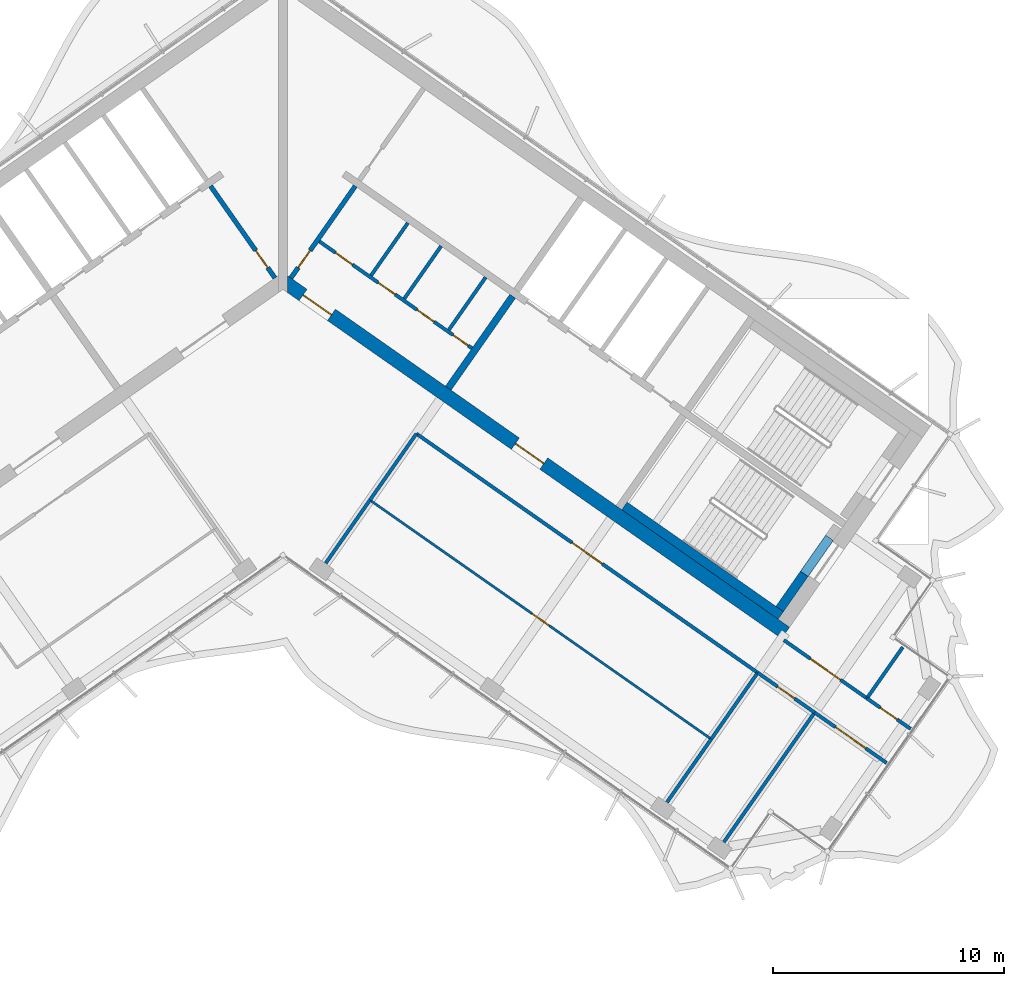
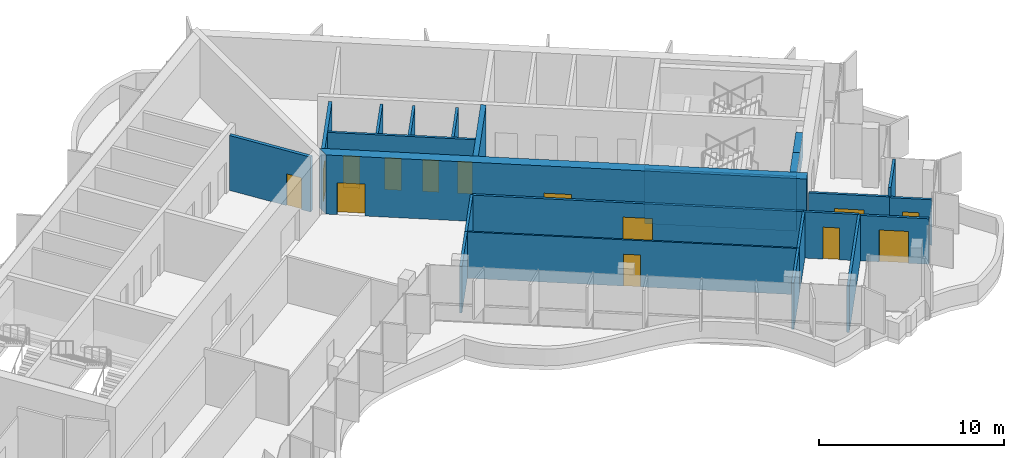
# One storey, part 10 of 17: 23 walls, 14 doors, 14 openings.
"""IFC4 building model written with IfcOpenShell, lengths in metres."""

from ifc_helpers import new_model, si_unit, direction, frame, frame_2d, origin, place, context, subcontext, project, spatial, polyline, rectangle, outline, extrude, material, layer, layer_set, type_object, element, fill, save


model = new_model("IFC4")

# Units and contexts
model_context = context("Model", 3, precision=1e-05, world=origin(), true_north=direction((0.0, 1.0)))
body_context = subcontext(model_context, "Body", "Model", "MODEL_VIEW")
ifc_project = project(units=[si_unit("LENGTHUNIT", "METRE"), si_unit("AREAUNIT", "SQUARE_METRE"), si_unit("VOLUMEUNIT", "CUBIC_METRE"), si_unit("PLANEANGLEUNIT", "RADIAN"), si_unit("MASSUNIT", "GRAM", prefix="KILO")], contexts=[model_context])

# Site, building, storey
site_placement = place(None, origin())
site = spatial("IfcSite", under=ifc_project, at=site_placement, CompositionType="ELEMENT")
building_placement = place(site_placement, origin())
building = spatial("IfcBuilding", under=site, at=building_placement, Name="Tel Ilan Convention Tower", CompositionType="ELEMENT")
storey_placement = place(building_placement, frame((0.0, 0.0, 287.800048828125)))
storey = spatial("IfcBuildingStorey", under=building, at=storey_placement, Name="L68", CompositionType="ELEMENT", Elevation=287.800048828125)

# Wall, openings, doors
ifc_material_1 = material(Name="Gypsum Plasterboard on Steel Stud", Category="steel")
ifc_layer_1 = layer(ifc_material_1, 0.14990234375)
ifc_layer_set_1 = layer_set([ifc_layer_1], Name="Core Room Partition Wall 150 mm EI 60")
wall_type_1 = type_object("IfcWallType", Name="Core Room Partition Wall 150 mm EI 60", PredefinedType="PARTITIONING", material=ifc_layer_set_1)
wall_1_placement = place(storey_placement, frame((1.572998046875, 0.851806640625, 0.0), z_axis=(0.0, 0.0, 1.0), x_axis=(0.819160673808, -0.573564111924, 0.0)))
wall_1 = element("IfcWall", 1, at=wall_1_placement, inside=storey, type_object=wall_type_1, Name="L68 core wall wc-h1", PredefinedType="PARTITIONING", context=body_context, shape_type="SweptSolid", body=[
    extrude(rectangle(XDim=8.050048828125, YDim=0.14990234375, at=frame_2d((4.02490234375, 0.0))), origin(), (0.0, 0.0, 1.0), 3.619873046875),
])
opening_1_placement = place(wall_1_placement, frame((0.85009765625, 0.0, 0.0)))
opening_1 = element("IfcOpeningElement", 2, at=opening_1_placement, cuts=wall_1, Name="Opening CD5114", PredefinedType="OPENING", context=body_context, shape_type="SweptSolid", body=[
    extrude(rectangle(XDim=0.89990234375, YDim=2.10009765625, at=frame_2d((0.449951171875, 1.050048828125))), frame((0.0, 0.0849609375, 0.0), z_axis=(0.0, -1.0, 0.0), x_axis=(1.0, 0.0, 0.0)), (0.0, 0.0, 1.0), 0.169921875),
])
opening_2_placement = place(wall_1_placement, frame((3.10009765625, 0.0, 0.0)))
opening_2 = element("IfcOpeningElement", 3, at=opening_2_placement, cuts=wall_1, Name="Opening CD5111", PredefinedType="OPENING", context=body_context, shape_type="SweptSolid", body=[
    extrude(rectangle(XDim=0.89990234375, YDim=2.10009765625, at=frame_2d((0.449951171875, 1.050048828125))), frame((0.0, 0.0849609375, 0.0), z_axis=(0.0, -1.0, 0.0), x_axis=(1.0, 0.0, 0.0)), (0.0, 0.0, 1.0), 0.169921875),
])
opening_3_placement = place(wall_1_placement, frame((5.14990234375, 0.0, 0.0)))
opening_3 = element("IfcOpeningElement", 4, at=opening_3_placement, cuts=wall_1, Name="Opening CD5113", PredefinedType="OPENING", context=body_context, shape_type="SweptSolid", body=[
    extrude(rectangle(XDim=0.89990234375, YDim=2.10009765625, at=frame_2d((0.449951171875, 1.050048828125))), frame((0.0, 0.0849609375, 0.0), z_axis=(0.0, -1.0, 0.0), x_axis=(1.0, 0.0, 0.0)), (0.0, 0.0, 1.0), 0.169921875),
])
opening_4_placement = place(wall_1_placement, frame((7.050048828125, 0.0, 0.0)))
opening_4 = element("IfcOpeningElement", 5, at=opening_4_placement, cuts=wall_1, Name="Opening CD5112", PredefinedType="OPENING", context=body_context, shape_type="SweptSolid", body=[
    extrude(rectangle(XDim=0.800048828125, YDim=2.10009765625, at=frame_2d((0.39990234375, 1.050048828125))), frame((0.0, 0.0849609375, 0.0), z_axis=(0.0, -1.0, 0.0), x_axis=(1.0, 0.0, 0.0)), (0.0, 0.0, 1.0), 0.169921875),
])
ifc_material_2 = material(Name="Galvanised Steel Door Leaf", Category="steel")
door_type_1 = type_object("IfcDoorType", Name="Store Door 800 x 2100 FD60", OperationType="NOTDEFINED", PredefinedType="DOOR", material=ifc_material_2)
door_1_placement = place(opening_4_placement, origin())
door_1 = element("IfcDoor", 6, at=door_1_placement, inside=storey, type_object=door_type_1, Name="Cleaner's store door", OperationType="SINGLE_SWING_RIGHT", OverallHeight=2.10009765625, OverallWidth=0.800048828125, PredefinedType="DOOR", context=body_context, shape_type="SweptSolid", body=[
    extrude(rectangle(XDim=0.800048828125, YDim=2.10009765625, at=frame_2d((0.39990234375, 1.050048828125))), frame((0.0, 0.02490234375, 0.0), z_axis=(0.0, -1.0, 0.0), x_axis=(1.0, 0.0, 0.0)), (0.0, 0.0, 1.0), 0.050048828125),
])
fill(opening_4, door_1)
ifc_material_3 = material(Name="Laminated Timber Door Leaf", Category="wood")
door_type_2 = type_object("IfcDoorType", Name="Toilet Door 900 x 2100 FD30S", OperationType="NOTDEFINED", PredefinedType="DOOR", material=ifc_material_3)
door_2_placement = place(opening_1_placement, origin())
door_2 = element("IfcDoor", 7, at=door_2_placement, inside=storey, type_object=door_type_2, Name="Women's WC door", OperationType="SINGLE_SWING_RIGHT", OverallHeight=2.10009765625, OverallWidth=0.89990234375, PredefinedType="DOOR", context=body_context, shape_type="SweptSolid", body=[
    extrude(rectangle(XDim=0.89990234375, YDim=2.10009765625, at=frame_2d((0.449951171875, 1.050048828125))), frame((0.0, 0.02490234375, 0.0), z_axis=(0.0, -1.0, 0.0), x_axis=(1.0, 0.0, 0.0)), (0.0, 0.0, 1.0), 0.050048828125),
])
fill(opening_1, door_2)
door_3_placement = place(opening_2_placement, origin())
door_3 = element("IfcDoor", 8, at=door_3_placement, inside=storey, type_object=door_type_2, Name="Accessible WC door", OperationType="SINGLE_SWING_RIGHT", OverallHeight=2.10009765625, OverallWidth=0.89990234375, PredefinedType="DOOR", context=body_context, shape_type="SweptSolid", body=[
    extrude(rectangle(XDim=0.89990234375, YDim=2.10009765625, at=frame_2d((0.449951171875, 1.050048828125))), frame((0.0, 0.02490234375, 0.0), z_axis=(0.0, -1.0, 0.0), x_axis=(1.0, 0.0, 0.0)), (0.0, 0.0, 1.0), 0.050048828125),
])
fill(opening_2, door_3)
door_4_placement = place(opening_3_placement, origin())
door_4 = element("IfcDoor", 9, at=door_4_placement, inside=storey, type_object=door_type_2, Name="Men's WC door", OperationType="SINGLE_SWING_RIGHT", OverallHeight=2.10009765625, OverallWidth=0.89990234375, PredefinedType="DOOR", context=body_context, shape_type="SweptSolid", body=[
    extrude(rectangle(XDim=0.89990234375, YDim=2.10009765625, at=frame_2d((0.449951171875, 1.050048828125))), frame((0.0, 0.02490234375, 0.0), z_axis=(0.0, -1.0, 0.0), x_axis=(1.0, 0.0, 0.0)), (0.0, 0.0, 1.0), 0.050048828125),
])
fill(opening_3, door_4)

# Walls
wall_2_placement = place(storey_placement, frame((3.807373046875, -0.62109375, 0.0), z_axis=(0.0, 0.0, 1.0), x_axis=(0.573539102583, 0.819178184407, 0.0)))
element("IfcWall", 10, at=wall_2_placement, inside=storey, type_object=wall_type_1, Name="L68 core wall wc-v0", PredefinedType="PARTITIONING", context=body_context, shape_type="SweptSolid", body=[
    extrude(rectangle(XDim=2.77490234375, YDim=0.14990234375, at=frame_2d((1.387451171875, 0.0))), origin(), (0.0, 0.0, 1.0), 3.619873046875),
])
for number, where, z_axis, x_axis, name in (
    (11, (5.24072265625, -1.625, 0.0), (0.0, 0.0, 1.0), (0.573598137089, 0.81913684884, 0.0), "L68 core wall wc-v1"),
    (12, (7.165771484375, -2.972900390625, 0.0), (0.0, 0.0, 1.0), (0.573598137089, 0.81913684884, 0.0), "L68 core wall wc-v2"),
):
    element("IfcWall", number, at=place(storey_placement, frame(where, z_axis=z_axis, x_axis=x_axis)), inside=storey, type_object=wall_type_1, Name=name, PredefinedType="PARTITIONING", context=body_context, shape_type="SweptSolid", body=[
        extrude(rectangle(XDim=2.775146484375, YDim=0.14990234375, at=frame_2d((1.3876953125, 0.0))), origin(), (0.0, 0.0, 1.0), 3.619873046875),
    ])

# Wall, opening, door
ifc_material_4 = material(Name="Concrete C30/37", Category="concrete")
ifc_layer_2 = layer(ifc_material_4, 0.199951171875)
ifc_layer_set_2 = layer_set([ifc_layer_2], Name="Core Service Room Wall 200 mm C30/37")
wall_type_2 = type_object("IfcWallType", Name="Core Service Room Wall 200 mm C30/37", PredefinedType="SOLIDWALL", material=ifc_layer_set_2)
wall_3_placement = place(storey_placement, frame((-0.343994140625, -0.729248046875, 0.0), z_axis=(0.0, 0.0, 1.0), x_axis=(-0.573560315113, 0.819163332265, 0.0)))
wall_3 = element("IfcWall", 13, at=wall_3_placement, inside=storey, type_object=wall_type_2, Name="L68 core wall apex-W", PredefinedType="SOLIDWALL", context=body_context, shape_type="SweptSolid", body=[
    extrude(rectangle(XDim=4.849853515625, YDim=0.199951171875, at=frame_2d((2.4248046875, 0.0))), origin(), (0.0, 0.0, 1.0), 3.619873046875),
])
opening_5_placement = place(wall_3_placement, frame((0.550048828125, 0.0, 0.0)))
opening_5 = element("IfcOpeningElement", 14, at=opening_5_placement, cuts=wall_3, Name="Opening CD5102", PredefinedType="OPENING", context=body_context, shape_type="SweptSolid", body=[
    extrude(rectangle(XDim=0.89990234375, YDim=2.10009765625, at=frame_2d((0.449951171875, 1.050048828125))), frame((0.0, 0.10986328125, 0.0), z_axis=(0.0, -1.0, 0.0), x_axis=(1.0, 0.0, 0.0)), (0.0, 0.0, 1.0), 0.219970703125),
])
ifc_material_5 = material(Name="Galvanised Steel Door Leaf", Category="steel")
door_type_3 = type_object("IfcDoorType", Name="Service Room Door 900 x 2100 FD60", OperationType="NOTDEFINED", PredefinedType="DOOR", material=ifc_material_5)
door_5_placement = place(opening_5_placement, origin())
door_5 = element("IfcDoor", 15, at=door_5_placement, inside=storey, type_object=door_type_3, Name="Telecom Room door", OperationType="SINGLE_SWING_RIGHT", OverallHeight=2.10009765625, OverallWidth=0.89990234375, PredefinedType="DOOR", context=body_context, shape_type="SweptSolid", body=[
    extrude(rectangle(XDim=0.89990234375, YDim=2.10009765625, at=frame_2d((0.449951171875, 1.050048828125))), frame((0.0, 0.02490234375, 0.0), z_axis=(0.0, -1.0, 0.0), x_axis=(1.0, 0.0, 0.0)), (0.0, 0.0, 1.0), 0.050048828125),
])
fill(opening_5, door_5)

wall_4_placement = place(storey_placement, frame((0.343994140625, -0.729248046875, 0.0), z_axis=(0.0, 0.0, 1.0), x_axis=(0.573560315113, 0.819163332265, 0.0)))
wall_4 = element("IfcWall", 16, at=wall_4_placement, inside=storey, type_object=wall_type_2, Name="L68 core wall apex-E", PredefinedType="SOLIDWALL", context=body_context, shape_type="SweptSolid", body=[
    extrude(rectangle(XDim=4.849853515625, YDim=0.199951171875, at=frame_2d((2.4248046875, 0.0))), origin(), (0.0, 0.0, 1.0), 3.619873046875),
])
opening_6_placement = place(wall_4_placement, frame((0.550048828125, 0.0, 0.0)))
opening_6 = element("IfcOpeningElement", 17, at=opening_6_placement, cuts=wall_4, Name="Opening CD5101", PredefinedType="OPENING", context=body_context, shape_type="SweptSolid", body=[
    extrude(rectangle(XDim=0.89990234375, YDim=2.10009765625, at=frame_2d((0.449951171875, 1.050048828125))), frame((0.0, 0.10986328125, 0.0), z_axis=(0.0, -1.0, 0.0), x_axis=(1.0, 0.0, 0.0)), (0.0, 0.0, 1.0), 0.219970703125),
])
door_6_placement = place(opening_6_placement, origin())
door_6 = element("IfcDoor", 18, at=door_6_placement, inside=storey, type_object=door_type_3, Name="Data Room door", OperationType="SINGLE_SWING_RIGHT", OverallHeight=2.10009765625, OverallWidth=0.89990234375, PredefinedType="DOOR", context=body_context, shape_type="SweptSolid", body=[
    extrude(rectangle(XDim=0.89990234375, YDim=2.10009765625, at=frame_2d((0.449951171875, 1.050048828125))), frame((0.0, 0.02490234375, 0.0), z_axis=(0.0, -1.0, 0.0), x_axis=(1.0, 0.0, 0.0)), (0.0, 0.0, 1.0), 0.050048828125),
])
fill(opening_6, door_6)

# Wall
ifc_material_6 = material(Name="Concrete C40/50", Category="concrete")
ifc_layer_3 = layer(ifc_material_6, 0.300048828125)
ifc_layer_set_3 = layer_set([ifc_layer_3], Name="Core Shear Wall 300 mm C40/50")
wall_type_3 = type_object("IfcWallType", Name="Core Shear Wall 300 mm C40/50", PredefinedType="SHEAR", material=ifc_layer_set_3)
wall_5_placement = place(storey_placement, frame((7.142822265625, -5.48974609375, 0.0), z_axis=(0.0, 0.0, 1.0), x_axis=(0.573617744349, 0.819123118565, 0.0)))
element("IfcWall", 19, at=wall_5_placement, inside=storey, type_object=wall_type_3, Name="L68 core wall E-cross1-1", PredefinedType="SHEAR", context=body_context, shape_type="SweptSolid", body=[
    extrude(outline(polyline([(0.0, 0.14990234375), (0.0, -0.150146484375), (4.85009765625, -0.14990234375), (4.85009765625, 0.150146484375), (0.0, 0.14990234375)])), origin(), (0.0, 0.0, 1.0), 3.89990234375),
])

# Wall, openings, doors
ifc_material_7 = material(Name="Concrete C40/50", Category="concrete")
ifc_layer_4 = layer(ifc_material_7, 0.60009765625)
ifc_layer_set_4 = layer_set([ifc_layer_4], Name="Core Shear Wall 600 mm C40/50")
wall_type_4 = type_object("IfcWallType", Name="Core Shear Wall 600 mm C40/50", PredefinedType="SHEAR", material=ifc_layer_set_4)
wall_6_placement = place(storey_placement, frame((0.02783203125, -0.8740234375, 0.0), z_axis=(0.0, 0.0, 1.0), x_axis=(0.819150035022, -0.573579305871, 0.0)))
wall_6 = element("IfcWall", 20, at=wall_6_placement, inside=storey, type_object=wall_type_4, Name="L68 core wall E-front", PredefinedType="SHEAR", context=body_context, shape_type="SweptSolid", body=[
    extrude(outline(polyline([(26.475830078125, 0.300048828125), (0.000244140625, 0.300048828125), (0.420166015625, -0.300048828125), (26.475830078125, -0.2998046875), (26.475830078125, 0.300048828125)])), origin(), (0.0, 0.0, 1.0), 3.89990234375),
])
opening_7_placement = place(wall_6_placement, frame((1.02587890625, 0.0, 0.0)))
opening_7 = element("IfcOpeningElement", 21, at=opening_7_placement, cuts=wall_6, Name="Opening CD5104", PredefinedType="OPENING", context=body_context, shape_type="SweptSolid", body=[
    extrude(rectangle(XDim=1.5, YDim=2.10009765625, at=frame_2d((0.75, 1.050048828125))), frame((0.0, 0.31005859375, 0.0), z_axis=(0.0, -1.0, 0.0), x_axis=(1.0, 0.0, 0.0)), (0.0, 0.0, 1.0), 0.6201171875),
])
opening_8_placement = place(wall_6_placement, frame((12.225830078125, 0.0, 0.0)))
opening_8 = element("IfcOpeningElement", 22, at=opening_8_placement, cuts=wall_6, Name="Opening CD5105", PredefinedType="OPENING", context=body_context, shape_type="SweptSolid", body=[
    extrude(rectangle(XDim=1.5, YDim=2.10009765625, at=frame_2d((0.75, 1.050048828125))), frame((0.0, 0.31005859375, 0.0), z_axis=(0.0, -1.0, 0.0), x_axis=(1.0, 0.0, 0.0)), (0.0, 0.0, 1.0), 0.6201171875),
])
ifc_material_8 = material(Name="Glazed Aluminium Door Leaf", Category="aluminium")
door_type_4 = type_object("IfcDoorType", Name="Lobby Opening Door 1500 x 2100 FD60S", OperationType="NOTDEFINED", PredefinedType="DOOR", material=ifc_material_8)
door_7_placement = place(opening_8_placement, origin())
door_7 = element("IfcDoor", 23, at=door_7_placement, inside=storey, type_object=door_type_4, Name="Firefighting Lobby door", OperationType="DOUBLE_DOOR_SINGLE_SWING", OverallHeight=2.10009765625, OverallWidth=1.5, PredefinedType="DOOR", context=body_context, shape_type="SweptSolid", body=[
    extrude(rectangle(XDim=1.5, YDim=2.10009765625, at=frame_2d((0.75, 1.050048828125))), frame((0.0, 0.02490234375, 0.0), z_axis=(0.0, -1.0, 0.0), x_axis=(1.0, 0.0, 0.0)), (0.0, 0.0, 1.0), 0.050048828125),
])
fill(opening_8, door_7)
ifc_material_9 = material(Name="Laminated Timber Door Leaf", Category="wood")
door_type_5 = type_object("IfcDoorType", Name="Toilet Door 1500 x 2100 FD30S", OperationType="NOTDEFINED", PredefinedType="DOOR", material=ifc_material_9)
door_8_placement = place(opening_7_placement, origin())
door_8 = element("IfcDoor", 24, at=door_8_placement, inside=storey, type_object=door_type_5, Name="WC Lobby door", OperationType="SINGLE_SWING_RIGHT", OverallHeight=2.10009765625, OverallWidth=1.5, PredefinedType="DOOR", context=body_context, shape_type="SweptSolid", body=[
    extrude(rectangle(XDim=1.5, YDim=2.10009765625, at=frame_2d((0.75, 1.050048828125))), frame((0.0, 0.02490234375, 0.0), z_axis=(0.0, -1.0, 0.0), x_axis=(1.0, 0.0, 0.0)), (0.0, 0.0, 1.0), 0.050048828125),
])
fill(opening_7, door_8)

# Wall, opening, door
ifc_material_10 = material(Name="Plasterboard on Steel Studs", Category="steel")
ifc_layer_5 = layer(ifc_material_10, 0.14990234375)
ifc_layer_set_5 = layer_set([ifc_layer_5], Name="Fire-rated Partition 150 EI 60")
wall_type_5 = type_object("IfcWallType", Name="Fire-rated Partition 150 EI 60", PredefinedType="PARTITIONING", material=ifc_layer_set_5)
wall_7_placement = place(storey_placement, frame((21.641845703125, -16.37451171875, 0.0), z_axis=(0.0, 0.0, 1.0), x_axis=(0.819156008334, -0.573570775066, 0.0)))
wall_7 = element("IfcWall", 25, at=wall_7_placement, inside=storey, type_object=wall_type_5, Name="Partition 001", PredefinedType="PARTITIONING", context=body_context, shape_type="SweptSolid", body=[
    extrude(rectangle(XDim=4.382080078125, YDim=0.14990234375, at=frame_2d((2.19091796875, 0.0))), origin(), (0.0, 0.0, 1.0), 3.050048828125),
])
opening_9_placement = place(wall_7_placement, frame((1.39111328125, 0.0, 0.0)))
opening_9 = element("IfcOpeningElement", 26, at=opening_9_placement, cuts=wall_7, Name="Opening L68-012", PredefinedType="OPENING", context=body_context, shape_type="SweptSolid", body=[
    extrude(rectangle(XDim=1.60009765625, YDim=2.10009765625, at=frame_2d((0.800048828125, 1.050048828125))), frame((0.0, 0.0849609375, 0.0), z_axis=(0.0, -1.0, 0.0), x_axis=(1.0, 0.0, 0.0)), (0.0, 0.0, 1.0), 0.169921875),
])
ifc_material_11 = material(Name="Timber Door Leaf in Steel Frame", Category="steel")
door_type_6 = type_object("IfcDoorType", Name="Tenant Suite Entrance Fire Door 1600x2100", OperationType="NOTDEFINED", PredefinedType="DOOR", material=ifc_material_11)
door_9_placement = place(opening_9_placement, origin())
door_9 = element("IfcDoor", 27, at=door_9_placement, inside=storey, type_object=door_type_6, Name="Door L68-012", OperationType="DOUBLE_DOOR_SINGLE_SWING", OverallHeight=2.10009765625, OverallWidth=1.60009765625, PredefinedType="DOOR", context=body_context, shape_type="SweptSolid", body=[
    extrude(rectangle(XDim=1.60009765625, YDim=2.10009765625, at=frame_2d((0.800048828125, 1.050048828125))), frame((0.0, 0.02490234375, 0.0), z_axis=(0.0, -1.0, 0.0), x_axis=(1.0, 0.0, 0.0)), (0.0, 0.0, 1.0), 0.050048828125),
])
fill(opening_9, door_9)

wall_8_placement = place(storey_placement, frame((25.22802734375, -18.8857421875, 0.0), z_axis=(0.0, 0.0, 1.0), x_axis=(0.819172126429, -0.573547755014, 0.0)))
wall_8 = element("IfcWall", 28, at=wall_8_placement, inside=storey, type_object=wall_type_5, Name="Partition 002", PredefinedType="PARTITIONING", context=body_context, shape_type="SweptSolid", body=[
    extrude(rectangle(XDim=2.302001953125, YDim=0.14990234375, at=frame_2d((1.15087890625, 0.0))), origin(), (0.0, 0.0, 1.0), 3.0),
])
opening_10_placement = place(wall_8_placement, frame((0.700927734375, 0.0, 0.0)))
opening_10 = element("IfcOpeningElement", 29, at=opening_10_placement, cuts=wall_8, Name="Opening L68-013", PredefinedType="OPENING", context=body_context, shape_type="SweptSolid", body=[
    extrude(rectangle(XDim=0.89990234375, YDim=2.10009765625, at=frame_2d((0.449951171875, 1.050048828125))), frame((0.0, 0.0849609375, 0.0), z_axis=(0.0, -1.0, 0.0), x_axis=(1.0, 0.0, 0.0)), (0.0, 0.0, 1.0), 0.169921875),
])
ifc_material_12 = material(Name="Timber Door Leaf in Steel Frame", Category="steel")
door_type_7 = type_object("IfcDoorType", Name="Room Fire Door 900x2100", OperationType="NOTDEFINED", PredefinedType="DOOR", material=ifc_material_12)
door_10_placement = place(opening_10_placement, origin())
door_10 = element("IfcDoor", 30, at=door_10_placement, inside=storey, type_object=door_type_7, Name="Door L68-013", OperationType="SINGLE_SWING_LEFT", OverallHeight=2.10009765625, OverallWidth=0.89990234375, PredefinedType="DOOR", context=body_context, shape_type="SweptSolid", body=[
    extrude(rectangle(XDim=0.89990234375, YDim=2.10009765625, at=frame_2d((0.449951171875, 1.050048828125))), frame((0.0, 0.02490234375, 0.0), z_axis=(0.0, -1.0, 0.0), x_axis=(1.0, 0.0, 0.0)), (0.0, 0.0, 1.0), 0.050048828125),
])
fill(opening_10, door_10)

wall_9_placement = place(storey_placement, frame((20.5126953125, -17.78125, 0.0), z_axis=(0.0, 0.0, 1.0), x_axis=(-0.819153544995, 0.573574293115, 0.0)))
wall_9 = element("IfcWall", 31, at=wall_9_placement, inside=storey, type_object=wall_type_5, Name="Partition 003", PredefinedType="PARTITIONING", context=body_context, shape_type="SweptSolid", body=[
    extrude(rectangle(XDim=18.001953125, YDim=0.14990234375, at=frame_2d((9.0009765625, 0.0))), origin(), (0.0, 0.0, 1.0), 3.050048828125),
])
opening_11_placement = place(wall_9_placement, frame((8.200927734375, 0.0, 0.0)))
opening_11 = element("IfcOpeningElement", 32, at=opening_11_placement, cuts=wall_9, Name="Opening L68-008", PredefinedType="OPENING", context=body_context, shape_type="SweptSolid", body=[
    extrude(rectangle(XDim=1.60009765625, YDim=2.10009765625, at=frame_2d((0.800048828125, 1.050048828125))), frame((0.0, 0.0849609375, 0.0), z_axis=(0.0, -1.0, 0.0), x_axis=(1.0, 0.0, 0.0)), (0.0, 0.0, 1.0), 0.169921875),
])
door_11_placement = place(opening_11_placement, origin())
door_11 = element("IfcDoor", 33, at=door_11_placement, inside=storey, type_object=door_type_6, Name="Door L68-008", OperationType="DOUBLE_DOOR_SINGLE_SWING", OverallHeight=2.10009765625, OverallWidth=1.60009765625, PredefinedType="DOOR", context=body_context, shape_type="SweptSolid", body=[
    extrude(rectangle(XDim=1.60009765625, YDim=2.10009765625, at=frame_2d((0.800048828125, 1.050048828125))), frame((0.0, 0.02490234375, 0.0), z_axis=(0.0, -1.0, 0.0), x_axis=(1.0, 0.0, 0.0)), (0.0, 0.0, 1.0), 0.050048828125),
])
fill(opening_11, door_11)

wall_10_placement = place(storey_placement, frame((22.97021484375, -19.502197265625, 0.0), z_axis=(0.0, 0.0, 1.0), x_axis=(-0.819128818764, 0.573609604409, 0.0)))
wall_10 = element("IfcWall", 34, at=wall_10_placement, inside=storey, type_object=wall_type_5, Name="Partition 004", PredefinedType="PARTITIONING", context=body_context, shape_type="SweptSolid", body=[
    extrude(rectangle(XDim=3.004150390625, YDim=0.14990234375, at=frame_2d((1.501953125, 0.0))), origin(), (0.0, 0.0, 1.0), 3.050048828125),
])
opening_12_placement = place(wall_10_placement, frame((1.052001953125, 0.0, 0.0)))
opening_12 = element("IfcOpeningElement", 35, at=opening_12_placement, cuts=wall_10, Name="Opening L68-010", PredefinedType="OPENING", context=body_context, shape_type="SweptSolid", body=[
    extrude(rectangle(XDim=0.89990234375, YDim=2.10009765625, at=frame_2d((0.449951171875, 1.050048828125))), frame((0.0, 0.0849609375, 0.0), z_axis=(0.0, -1.0, 0.0), x_axis=(1.0, 0.0, 0.0)), (0.0, 0.0, 1.0), 0.169921875),
])
door_12_placement = place(opening_12_placement, origin())
door_12 = element("IfcDoor", 36, at=door_12_placement, inside=storey, type_object=door_type_7, Name="Door L68-010", OperationType="SINGLE_SWING_LEFT", OverallHeight=2.10009765625, OverallWidth=0.89990234375, PredefinedType="DOOR", context=body_context, shape_type="SweptSolid", body=[
    extrude(rectangle(XDim=0.89990234375, YDim=2.10009765625, at=frame_2d((0.449951171875, 1.050048828125))), frame((0.0, 0.02490234375, 0.0), z_axis=(0.0, -1.0, 0.0), x_axis=(1.0, 0.0, 0.0)), (0.0, 0.0, 1.0), 0.050048828125),
])
fill(opening_12, door_12)

wall_11_placement = place(storey_placement, frame((26.081298828125, -21.680419921875, 0.0), z_axis=(0.0, 0.0, 1.0), x_axis=(-0.819168564183, 0.573552842775, 0.0)))
wall_11 = element("IfcWall", 37, at=wall_11_placement, inside=storey, type_object=wall_type_5, Name="Partition 005", PredefinedType="PARTITIONING", context=body_context, shape_type="SweptSolid", body=[
    extrude(rectangle(XDim=3.802001953125, YDim=0.14990234375, at=frame_2d((1.90087890625, 0.0))), origin(), (0.0, 0.0, 1.0), 3.0),
])
opening_13_placement = place(wall_11_placement, frame((1.10107421875, 0.0, 0.0)))
opening_13 = element("IfcOpeningElement", 38, at=opening_13_placement, cuts=wall_11, Name="Opening L68-011", PredefinedType="OPENING", context=body_context, shape_type="SweptSolid", body=[
    extrude(rectangle(XDim=1.60009765625, YDim=2.10009765625, at=frame_2d((0.800048828125, 1.050048828125))), frame((0.0, 0.0849609375, 0.0), z_axis=(0.0, -1.0, 0.0), x_axis=(1.0, 0.0, 0.0)), (0.0, 0.0, 1.0), 0.169921875),
])
door_13_placement = place(opening_13_placement, origin())
door_13 = element("IfcDoor", 39, at=door_13_placement, inside=storey, type_object=door_type_6, Name="Door L68-011", OperationType="DOUBLE_DOOR_SINGLE_SWING", OverallHeight=2.10009765625, OverallWidth=1.60009765625, PredefinedType="DOOR", context=body_context, shape_type="SweptSolid", body=[
    extrude(rectangle(XDim=1.60009765625, YDim=2.10009765625, at=frame_2d((0.800048828125, 1.050048828125))), frame((0.0, 0.02490234375, 0.0), z_axis=(0.0, -1.0, 0.0), x_axis=(1.0, 0.0, 0.0)), (0.0, 0.0, 1.0), 0.050048828125),
])
fill(opening_13, door_13)

# Walls
wall_12_placement = place(storey_placement, frame((26.7783203125, -16.675048828125, 0.0), z_axis=(0.0, 0.0, 1.0), x_axis=(-0.573565509231, -0.819159695432, 0.0)))
element("IfcWall", 40, at=wall_12_placement, inside=storey, type_object=wall_type_5, Name="Partition 011", PredefinedType="PARTITIONING", context=body_context, shape_type="SweptSolid", body=[
    extrude(rectangle(XDim=2.699951171875, YDim=0.14990234375, at=frame_2d((1.35009765625, 0.0))), origin(), (0.0, 0.0, 1.0), 3.619873046875),
])
wall_13_placement = place(storey_placement, frame((18.5029296875, -20.64794921875, 0.0), z_axis=(0.0, 0.0, 1.0), x_axis=(-0.573560777794, -0.819163008306, 0.0)))
element("IfcWall", 41, at=wall_13_placement, inside=storey, type_object=wall_type_5, Name="Partition 013", PredefinedType="PARTITIONING", context=body_context, shape_type="SweptSolid", body=[
    extrude(rectangle(XDim=3.3291015625, YDim=0.14990234375, at=frame_2d((1.66455078125, 0.0))), origin(), (0.0, 0.0, 1.0), 3.050048828125),
])
wall_14_placement = place(storey_placement, frame((1.848876953125, -13.050537109375, 0.0), z_axis=(0.0, 0.0, 1.0), x_axis=(0.573595235521, 0.819138880647, 0.0)))
element("IfcWall", 42, at=wall_14_placement, inside=storey, type_object=wall_type_5, Name="Partition 014", PredefinedType="PARTITIONING", context=body_context, shape_type="SweptSolid", body=[
    extrude(rectangle(XDim=3.328857421875, YDim=0.14990234375, at=frame_2d((1.66455078125, 0.0))), origin(), (0.0, 0.0, 1.0), 3.050048828125),
])
wall_15_placement = place(storey_placement, frame((20.510986328125, -17.7802734375, 0.0), z_axis=(0.0, 0.0, 1.0), x_axis=(-0.573551294295, -0.819169648371, 0.0)))
element("IfcWall", 43, at=wall_15_placement, inside=storey, type_object=wall_type_5, Name="Partition 015", PredefinedType="PARTITIONING", context=body_context, shape_type="SweptSolid", body=[
    extrude(rectangle(XDim=3.499755859375, YDim=0.14990234375, at=frame_2d((1.75, 0.0))), origin(), (0.0, 0.0, 1.0), 3.050048828125),
])
wall_16_placement = place(storey_placement, frame((3.7587890625, -10.32275390625, 0.0), z_axis=(0.0, 0.0, 1.0), x_axis=(0.573598101901, 0.81913687348, 0.0)))
element("IfcWall", 44, at=wall_16_placement, inside=storey, type_object=wall_type_5, Name="Partition 016", PredefinedType="PARTITIONING", context=body_context, shape_type="SweptSolid", body=[
    extrude(rectangle(XDim=3.5, YDim=0.14990234375, at=frame_2d((1.75, 0.0))), origin(), (0.0, 0.0, 1.0), 3.050048828125),
])
wall_17_placement = place(storey_placement, frame((22.968505859375, -19.5009765625, 0.0), z_axis=(0.0, 0.0, 1.0), x_axis=(-0.573577493031, -0.819151304393, 0.0)))
element("IfcWall", 45, at=wall_17_placement, inside=storey, type_object=wall_type_5, Name="Partition 017", PredefinedType="PARTITIONING", context=body_context, shape_type="SweptSolid", body=[
    extrude(rectangle(XDim=6.829833984375, YDim=0.14990234375, at=frame_2d((3.4150390625, 0.0))), origin(), (0.0, 0.0, 1.0), 3.050048828125),
])

# Wall, opening, door
ifc_material_13 = material(Name="Plasterboard on Steel Studs", Category="steel")
ifc_layer_6 = layer(ifc_material_13, 0.10009765625)
ifc_layer_set_6 = layer_set([ifc_layer_6], Name="Plasterboard Partition 100")
wall_type_6 = type_object("IfcWallType", Name="Plasterboard Partition 100", PredefinedType="PARTITIONING", material=ifc_layer_set_6)
wall_18_placement = place(storey_placement, frame((18.5029296875, -20.64794921875, 0.0), z_axis=(0.0, 0.0, 1.0), x_axis=(-0.819154173185, 0.573573395961, 0.0)))
wall_18 = element("IfcWall", 46, at=wall_18_placement, inside=storey, type_object=wall_type_6, Name="Partition 012", PredefinedType="PARTITIONING", context=body_context, shape_type="SweptSolid", body=[
    extrude(rectangle(XDim=17.999755859375, YDim=0.10009765625, at=frame_2d((9.0, 0.0))), origin(), (0.0, 0.0, 1.0), 3.050048828125),
])
opening_14_placement = place(wall_18_placement, frame((8.550048828125, 0.0, 0.0)))
opening_14 = element("IfcOpeningElement", 47, at=opening_14_placement, cuts=wall_18, Name="Opening L68-009", PredefinedType="OPENING", context=body_context, shape_type="SweptSolid", body=[
    extrude(rectangle(XDim=0.89990234375, YDim=2.10009765625, at=frame_2d((0.449951171875, 1.050048828125))), frame((0.0, 0.06005859375, 0.0), z_axis=(0.0, -1.0, 0.0), x_axis=(1.0, 0.0, 0.0)), (0.0, 0.0, 1.0), 0.1201171875),
])
ifc_material_14 = material(Name="Timber Door Leaf in Steel Frame", Category="steel")
door_type_8 = type_object("IfcDoorType", Name="Room Timber Door 900x2100", OperationType="NOTDEFINED", PredefinedType="DOOR", material=ifc_material_14)
door_14_placement = place(opening_14_placement, origin())
door_14 = element("IfcDoor", 48, at=door_14_placement, inside=storey, type_object=door_type_8, Name="Door L68-009", OperationType="SINGLE_SWING_LEFT", OverallHeight=2.10009765625, OverallWidth=0.89990234375, PredefinedType="DOOR", context=body_context, shape_type="SweptSolid", body=[
    extrude(rectangle(XDim=0.89990234375, YDim=2.10009765625, at=frame_2d((0.449951171875, 1.050048828125))), frame((0.0, 0.02490234375, 0.0), z_axis=(0.0, -1.0, 0.0), x_axis=(1.0, 0.0, 0.0)), (0.0, 0.0, 1.0), 0.050048828125),
])
fill(opening_14, door_14)

# Walls
ifc_material_15 = material(Name="Concrete C30/37", Category="concrete")
ifc_layer_7 = layer(ifc_material_15, 0.39990234375)
ifc_layer_set_7 = layer_set([ifc_layer_7], Name="Stair and Shaft Lining Wall 400 mm C30/37")
wall_type_7 = type_object("IfcWallType", Name="Stair and Shaft Lining Wall 400 mm C30/37", PredefinedType="SOLIDWALL", material=ifc_layer_set_7)
wall_19_placement = place(storey_placement, frame((14.7529296875, -10.57421875, 0.0), z_axis=(0.0, 0.0, 1.0), x_axis=(0.819158229677, -0.573567602601, 0.0)))
element("IfcWall", 49, at=wall_19_placement, inside=storey, type_object=wall_type_7, Name="L68 core wall lining-S4-t0", PredefinedType="SOLIDWALL", context=body_context, shape_type="SweptSolid", body=[
    extrude(rectangle(XDim=8.25, YDim=0.39990234375, at=frame_2d((4.125, 0.0))), origin(), (0.0, 0.0, 1.0), 3.619873046875),
])
wall_20_placement = place(storey_placement, frame((21.4619140625, -15.027587890625, 0.0), z_axis=(0.0, 0.0, 1.0), x_axis=(0.573559770908, 0.819163713305, 0.0)))
element("IfcWall", 50, at=wall_20_placement, inside=storey, type_object=wall_type_7, Name="L68 core wall lining-S4-u1-0", PredefinedType="SOLIDWALL", context=body_context, shape_type="SweptSolid", body=[
    extrude(rectangle(XDim=1.849853515625, YDim=0.39990234375, at=frame_2d((0.9248046875, 0.0))), origin(), (0.0, 0.0, 1.0), 3.619873046875),
])
wall_21_placement = place(storey_placement, frame((22.52294921875, -13.51220703125, 2.14990234375), z_axis=(0.0, 0.0, 1.0), x_axis=(0.573591692345, 0.819141361715, 0.0)))
element("IfcWall", 51, at=wall_21_placement, inside=storey, type_object=wall_type_7, Name="L68 core wall lining-S4-u1-lintel", PredefinedType="SOLIDWALL", context=body_context, shape_type="SweptSolid", body=[
    extrude(rectangle(XDim=1.900146484375, YDim=0.39990234375, at=frame_2d((0.9501953125, 0.0))), origin(), (0.0, 0.0, 1.0), 1.469970703125),
])

save(model, "model.ifc")
